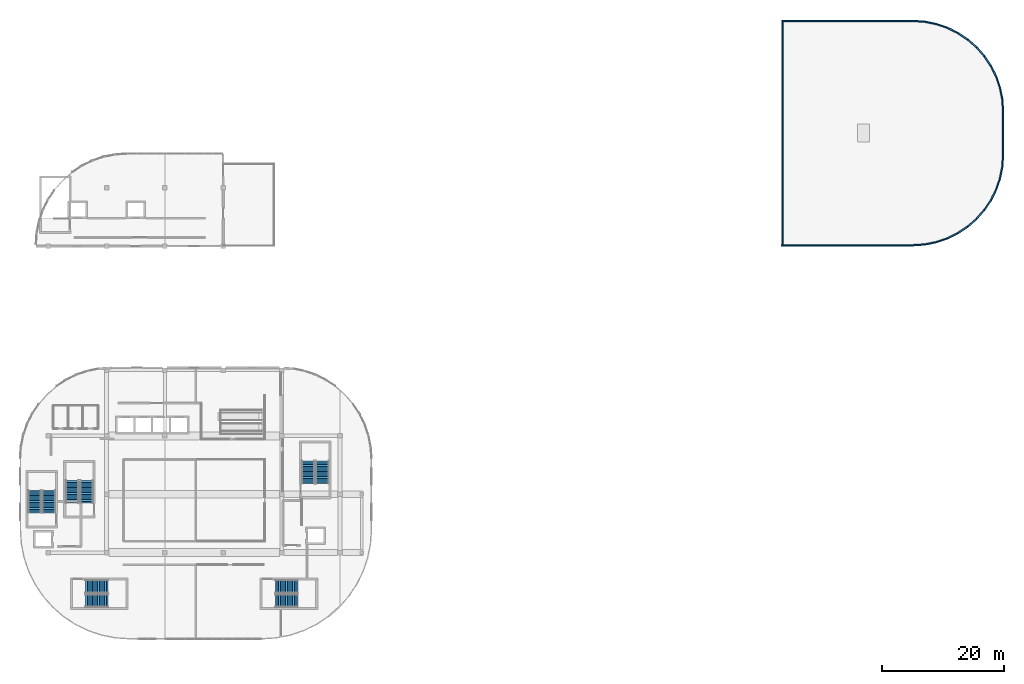
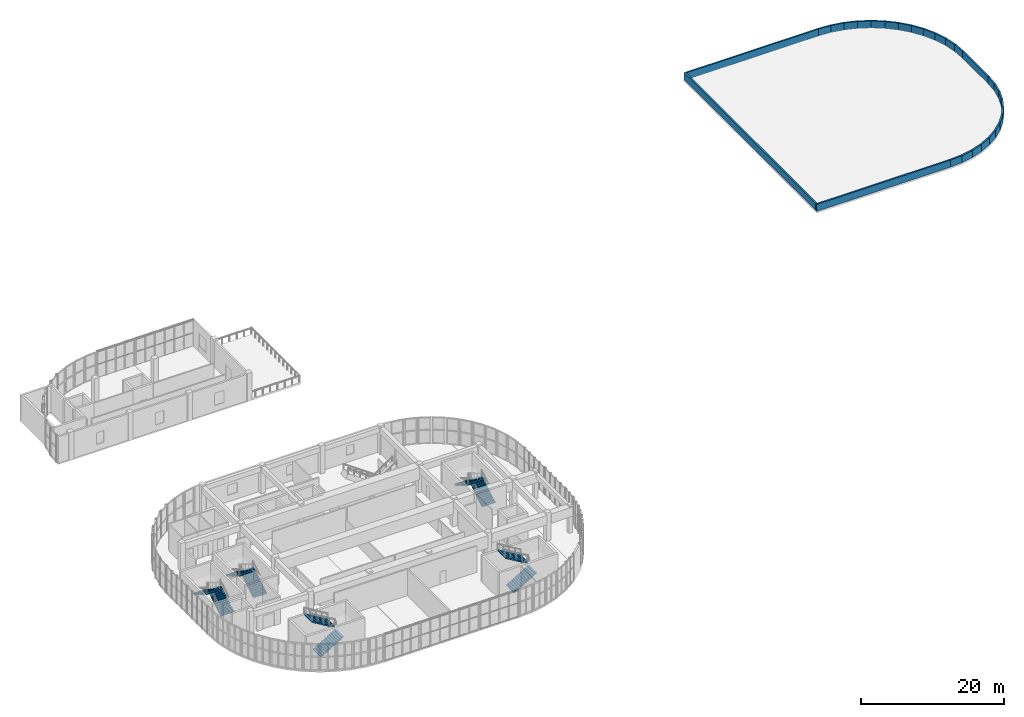
# One storey, part 24 of 28: 28 walls, 10 stair flights, 5 elements without a shape of their own.
"""IFC4 building model written with IfcOpenShell, lengths in metres."""

from ifc_helpers import new_model, si_unit, direction, frame, frame_2d, origin, place, context, subcontext, project, spatial, polyline, rectangle, outline, extrude, material, layer, layer_set, type_object, element, aggregate, save


model = new_model("IFC4")

# Units and contexts
model_context = context("Model", 3, precision=1e-05, world=origin(), true_north=direction((0.0, 1.0)))
body_context = subcontext(model_context, "Body", "Model", "MODEL_VIEW")
ifc_project = project(units=[si_unit("LENGTHUNIT", "METRE"), si_unit("AREAUNIT", "SQUARE_METRE"), si_unit("VOLUMEUNIT", "CUBIC_METRE"), si_unit("PLANEANGLEUNIT", "RADIAN"), si_unit("MASSUNIT", "GRAM", prefix="KILO")], contexts=[model_context])

# Site, building, storey
site_placement = place(None, origin())
site = spatial("IfcSite", under=ifc_project, at=site_placement, CompositionType="ELEMENT")
building_placement = place(site_placement, origin())
building = spatial("IfcBuilding", under=site, at=building_placement, Name="Cendralis Terraced Arcade", CompositionType="ELEMENT")
storey_placement = place(building_placement, frame((0.0, 0.0, 24.60009765625)))
storey = spatial("IfcBuildingStorey", under=building, at=storey_placement, Name="L05", CompositionType="ELEMENT", Elevation=24.60009765625)

# Walls
ifc_material_1 = material(Name="Precast concrete f'c 40 MPa", Category="concrete")
ifc_layer_1 = layer(ifc_material_1, 0.25, Name="WL-PAR-250")
ifc_layer_set_1 = layer_set([ifc_layer_1], Name="Precast concrete f'c 40 MPa")
wall_type = type_object("IfcWallType", Name="WL-PAR-250", PredefinedType="PARAPET", material=ifc_layer_set_1)
for number, where, z_axis, x_axis, name in (
    (1, (155.6357421875, 106.151611328125, 0.0), (0.0, 0.0, 1.0), (0.946939480853, -0.321411915774, 0.0), "Precast Concrete Roof Parapet Wall PAR-L05-410"),
    (2, (157.476318359375, 105.5283203125, 0.0), (0.0, 0.0, 1.0), (0.896828266188, -0.442378865867, 0.0), "Precast Concrete Roof Parapet Wall PAR-L05-411"),
):
    element("IfcWall", number, at=place(storey_placement, frame(where, z_axis=z_axis, x_axis=x_axis)), inside=storey, type_object=wall_type, Name=name, PredefinedType="PARAPET", context=body_context, shape_type="SweptSolid", body=[
        extrude(rectangle(XDim=1.9619140625, YDim=0.25, at=frame_2d((0.98095703125, 0.0))), origin(), (0.0, 0.0, 1.0), 1.199951171875),
    ])
for number, where, z_axis, x_axis, name in (
    (3, (159.219482421875, 104.669921875, 0.0), (0.0, 0.0, 1.0), (0.831398890173, -0.555676061585, 0.0), "Precast Concrete Roof Parapet Wall PAR-L05-412"),
    (4, (160.835693359375, 103.59130859375, 0.0), (0.0, 0.0, 1.0), (0.751874886859, -0.659305812587, 0.0), "Precast Concrete Roof Parapet Wall PAR-L05-413"),
    (5, (162.297607421875, 102.31103515625, 0.0), (0.0, 0.0, 1.0), (0.659305812587, -0.751874886859, 0.0), "Precast Concrete Roof Parapet Wall PAR-L05-414"),
    (6, (163.57958984375, 100.850830078125, 0.0), (0.0, 0.0, 1.0), (0.555676061585, -0.831398890173, 0.0), "Precast Concrete Roof Parapet Wall PAR-L05-415"),
):
    element("IfcWall", number, at=place(storey_placement, frame(where, z_axis=z_axis, x_axis=x_axis)), inside=storey, type_object=wall_type, Name=name, PredefinedType="PARAPET", context=body_context, shape_type="SweptSolid", body=[
        extrude(rectangle(XDim=1.962158203125, YDim=0.25, at=frame_2d((0.98095703125, 0.0))), origin(), (0.0, 0.0, 1.0), 1.199951171875),
    ])
for number, where, z_axis, x_axis, name in (
    (7, (164.660400390625, 99.23583984375, 0.0), (0.0, 0.0, 1.0), (0.442378865867, -0.896828266188, 0.0), "Precast Concrete Roof Parapet Wall PAR-L05-416"),
    (8, (165.52099609375, 97.49365234375, 0.0), (0.0, 0.0, 1.0), (0.321411915774, -0.946939480853, 0.0), "Precast Concrete Roof Parapet Wall PAR-L05-417"),
):
    element("IfcWall", number, at=place(storey_placement, frame(where, z_axis=z_axis, x_axis=x_axis)), inside=storey, type_object=wall_type, Name=name, PredefinedType="PARAPET", context=body_context, shape_type="SweptSolid", body=[
        extrude(rectangle(XDim=1.9619140625, YDim=0.25, at=frame_2d((0.98095703125, 0.0))), origin(), (0.0, 0.0, 1.0), 1.199951171875),
    ])
wall_1_placement = place(storey_placement, frame((166.146728515625, 95.654052734375, 0.0), z_axis=(0.0, 0.0, 1.0), x_axis=(0.195087187285, -0.980785903935, 0.0)))
element("IfcWall", 9, at=wall_1_placement, inside=storey, type_object=wall_type, Name="Precast Concrete Roof Parapet Wall PAR-L05-418", PredefinedType="PARAPET", context=body_context, shape_type="SweptSolid", body=[
    extrude(rectangle(XDim=1.962158203125, YDim=0.25, at=frame_2d((0.98095703125, 0.0))), origin(), (0.0, 0.0, 1.0), 1.199951171875),
])
wall_2_placement = place(storey_placement, frame((166.527099609375, 93.748291015625, 0.0), z_axis=(0.0, 0.0, 1.0), x_axis=(0.065329649797, -0.997863736618, 0.0)))
element("IfcWall", 10, at=wall_2_placement, inside=storey, type_object=wall_type, Name="Precast Concrete Roof Parapet Wall PAR-L05-419", PredefinedType="PARAPET", context=body_context, shape_type="SweptSolid", body=[
    extrude(rectangle(XDim=1.9619140625, YDim=0.25, at=frame_2d((0.98095703125, 0.0))), origin(), (0.0, 0.0, 1.0), 1.199951171875),
])
wall_3_placement = place(storey_placement, frame((166.655029296875, 91.800048828125, 0.0), z_axis=(0.0, 0.0, 1.0), x_axis=(0.0, -1.0, 0.0)))
element("IfcWall", 11, at=wall_3_placement, inside=storey, type_object=wall_type, Name="Precast Concrete Roof Parapet Wall PAR-L05-420", PredefinedType="PARAPET", context=body_context, shape_type="SweptSolid", body=[
    extrude(rectangle(XDim=7.199951171875, YDim=0.25, at=frame_2d((3.60009765625, 0.0))), origin(), (0.0, 0.0, 1.0), 1.199951171875),
])
wall_4_placement = place(storey_placement, frame((166.6552734375, 84.609619140625, 0.0), z_axis=(0.0, 0.0, 1.0), x_axis=(-0.065321538715, -0.997864267614, 0.0)))
element("IfcWall", 12, at=wall_4_placement, inside=storey, type_object=wall_type, Name="Precast Concrete Roof Parapet Wall PAR-L05-421", PredefinedType="PARAPET", context=body_context, shape_type="SweptSolid", body=[
    extrude(rectangle(XDim=1.962158203125, YDim=0.25, at=frame_2d((0.98095703125, 0.0))), origin(), (0.0, 0.0, 1.0), 1.199951171875),
])
wall_5_placement = place(storey_placement, frame((166.529541015625, 82.67041015625, 0.0), z_axis=(0.0, 0.0, 1.0), x_axis=(-0.19511099609, -0.980781167848, 0.0)))
element("IfcWall", 13, at=wall_5_placement, inside=storey, type_object=wall_type, Name="Precast Concrete Roof Parapet Wall PAR-L05-422", PredefinedType="PARAPET", context=body_context, shape_type="SweptSolid", body=[
    extrude(rectangle(XDim=1.9619140625, YDim=0.25, at=frame_2d((0.98095703125, 0.0))), origin(), (0.0, 0.0, 1.0), 1.199951171875),
])
for number, where, z_axis, x_axis, name in (
    (14, (166.151611328125, 80.764404296875, 0.0), (0.0, 0.0, 1.0), (-0.321374047672, -0.946952333269, 0.0), "Precast Concrete Roof Parapet Wall PAR-L05-423"),
    (15, (165.5283203125, 78.923828125, 0.0), (0.0, 0.0, 1.0), (-0.44232950124, -0.89685261461, 0.0), "Precast Concrete Roof Parapet Wall PAR-L05-424"),
    (16, (164.669921875, 77.1806640625, 0.0), (0.0, 0.0, 1.0), (-0.555676061585, -0.831398890173, 0.0), "Precast Concrete Roof Parapet Wall PAR-L05-425"),
):
    element("IfcWall", number, at=place(storey_placement, frame(where, z_axis=z_axis, x_axis=x_axis)), inside=storey, type_object=wall_type, Name=name, PredefinedType="PARAPET", context=body_context, shape_type="SweptSolid", body=[
        extrude(rectangle(XDim=1.962158203125, YDim=0.25, at=frame_2d((0.98095703125, 0.0))), origin(), (0.0, 0.0, 1.0), 1.199951171875),
    ])
wall_6_placement = place(storey_placement, frame((163.59130859375, 75.564208984375, 0.0), z_axis=(0.0, 0.0, 1.0), x_axis=(-0.659367493455, -0.751820795519, 0.0)))
element("IfcWall", 17, at=wall_6_placement, inside=storey, type_object=wall_type, Name="Precast Concrete Roof Parapet Wall PAR-L05-426", PredefinedType="PARAPET", context=body_context, shape_type="SweptSolid", body=[
    extrude(rectangle(XDim=1.9619140625, YDim=0.25, at=frame_2d((0.98095703125, 0.0))), origin(), (0.0, 0.0, 1.0), 1.199951171875),
])
for number, where, z_axis, x_axis, name in (
    (18, (162.31103515625, 74.102294921875, 0.0), (0.0, 0.0, 1.0), (-0.751874886859, -0.659305812587, 0.0), "Precast Concrete Roof Parapet Wall PAR-L05-427"),
    (19, (160.850830078125, 72.8203125, 0.0), (0.0, 0.0, 1.0), (-0.831456371993, -0.555590048032, 0.0), "Precast Concrete Roof Parapet Wall PAR-L05-428"),
):
    element("IfcWall", number, at=place(storey_placement, frame(where, z_axis=z_axis, x_axis=x_axis)), inside=storey, type_object=wall_type, Name=name, PredefinedType="PARAPET", context=body_context, shape_type="SweptSolid", body=[
        extrude(rectangle(XDim=1.962158203125, YDim=0.25, at=frame_2d((0.98095703125, 0.0))), origin(), (0.0, 0.0, 1.0), 1.199951171875),
    ])
wall_7_placement = place(storey_placement, frame((159.23583984375, 71.739501953125, 0.0), z_axis=(0.0, 0.0, 1.0), x_axis=(-0.896877632786, -0.4422787716, 0.0)))
element("IfcWall", 20, at=wall_7_placement, inside=storey, type_object=wall_type, Name="Precast Concrete Roof Parapet Wall PAR-L05-429", PredefinedType="PARAPET", context=body_context, shape_type="SweptSolid", body=[
    extrude(rectangle(XDim=1.9619140625, YDim=0.25, at=frame_2d((0.98095703125, 0.0))), origin(), (0.0, 0.0, 1.0), 1.199951171875),
])
for number, where, z_axis, x_axis, name in (
    (21, (157.49365234375, 70.879150390625, 0.0), (0.0, 0.0, 1.0), (-0.946901603487, -0.321523487965, 0.0), "Precast Concrete Roof Parapet Wall PAR-L05-430"),
    (22, (155.654052734375, 70.25341796875, 0.0), (0.0, 0.0, 1.0), (-0.980785903935, -0.195087187285, 0.0), "Precast Concrete Roof Parapet Wall PAR-L05-431"),
):
    element("IfcWall", number, at=place(storey_placement, frame(where, z_axis=z_axis, x_axis=x_axis)), inside=storey, type_object=wall_type, Name=name, PredefinedType="PARAPET", context=body_context, shape_type="SweptSolid", body=[
        extrude(rectangle(XDim=1.962158203125, YDim=0.25, at=frame_2d((0.98095703125, 0.0))), origin(), (0.0, 0.0, 1.0), 1.199951171875),
    ])
wall_8_placement = place(storey_placement, frame((153.748291015625, 69.873046875, 0.0), z_axis=(0.0, 0.0, 1.0), x_axis=(-0.997855616904, -0.065453554619, 0.0)))
element("IfcWall", 23, at=wall_8_placement, inside=storey, type_object=wall_type, Name="Precast Concrete Roof Parapet Wall PAR-L05-432", PredefinedType="PARAPET", context=body_context, shape_type="SweptSolid", body=[
    extrude(rectangle(XDim=1.9619140625, YDim=0.25, at=frame_2d((0.98095703125, 0.0))), origin(), (0.0, 0.0, 1.0), 1.199951171875),
])
wall_9_placement = place(storey_placement, frame((151.800048828125, 69.7451171875, 0.0), z_axis=(0.0, 0.0, 1.0), x_axis=(-1.0, 0.0, 0.0)))
element("IfcWall", 24, at=wall_9_placement, inside=storey, type_object=wall_type, Name="Precast Concrete Roof Parapet Wall PAR-L05-433", PredefinedType="PARAPET", context=body_context, shape_type="SweptSolid", body=[
    extrude(rectangle(XDim=21.60009765625, YDim=0.25, at=frame_2d((10.800048828125, 0.0))), origin(), (0.0, 0.0, 1.0), 1.199951171875),
])
wall_10_placement = place(storey_placement, frame((130.344970703125, 69.889892578125, 0.0), z_axis=(0.0, 0.0, 1.0), x_axis=(0.0, 1.0, 0.0)))
element("IfcWall", 25, at=wall_10_placement, inside=storey, type_object=wall_type, Name="Precast Concrete Roof Parapet Wall PAR-L05-434", PredefinedType="PARAPET", context=body_context, shape_type="SweptSolid", body=[
    extrude(rectangle(XDim=36.91015625, YDim=0.25, at=frame_2d((18.455078125, 0.0))), origin(), (0.0, 0.0, 1.0), 1.199951171875),
])
wall_11_placement = place(storey_placement, frame((130.489990234375, 106.655029296875, 0.0), z_axis=(0.0, 0.0, 1.0), x_axis=(1.0, 0.0, 0.0)))
element("IfcWall", 26, at=wall_11_placement, inside=storey, type_object=wall_type, Name="Precast Concrete Roof Parapet Wall PAR-L05-435", PredefinedType="PARAPET", context=body_context, shape_type="SweptSolid", body=[
    extrude(rectangle(XDim=21.31005859375, YDim=0.25, at=frame_2d((10.655029296875, 0.0))), origin(), (0.0, 0.0, 1.0), 1.199951171875),
])
wall_12_placement = place(storey_placement, frame((151.79052734375, 106.6552734375, 0.0), z_axis=(0.0, 0.0, 1.0), x_axis=(0.997863736618, -0.065329649797, 0.0)))
element("IfcWall", 27, at=wall_12_placement, inside=storey, type_object=wall_type, Name="Precast Concrete Roof Parapet Wall PAR-L05-436", PredefinedType="PARAPET", context=body_context, shape_type="SweptSolid", body=[
    extrude(rectangle(XDim=1.9619140625, YDim=0.25, at=frame_2d((0.98095703125, 0.0))), origin(), (0.0, 0.0, 1.0), 1.199951171875),
])
wall_13_placement = place(storey_placement, frame((153.7294921875, 106.529541015625, 0.0), z_axis=(0.0, 0.0, 1.0), x_axis=(0.980785903935, -0.195087187285, 0.0)))
element("IfcWall", 28, at=wall_13_placement, inside=storey, type_object=wall_type, Name="Precast Concrete Roof Parapet Wall PAR-L05-437", PredefinedType="PARAPET", context=body_context, shape_type="SweptSolid", body=[
    extrude(rectangle(XDim=1.962158203125, YDim=0.25, at=frame_2d((0.98095703125, 0.0))), origin(), (0.0, 0.0, 1.0), 1.199951171875),
])

# Stair, stair flights
ifc_material_2 = material(Name="Concrete f'c 35 MPa", Category="concrete")
stair_type = type_object("IfcStairType", Name="STR-W215-H480", PredefinedType="HALF_TURN_STAIR", material=ifc_material_2)
stair_1_placement = place(storey_placement, origin())
stair_1 = element("IfcStair", 29, at=stair_1_placement, inside=storey, type_object=stair_type, Name="L05 Protected Exit Stair ST-01", PredefinedType="HALF_TURN_STAIR")
ifc_layer_2 = layer(ifc_material_2, 0.159912109375, Name="FLT-W215-H480")
ifc_layer_set_2 = layer_set([ifc_layer_2], Name="Concrete f'c 35 MPa")
stair_flight_type = type_object("IfcStairFlightType", Name="FLT-W215-H480", PredefinedType="STRAIGHT", material=ifc_layer_set_2)
stair_flight_1_placement = place(storey_placement, frame((9.72509765625, 25.75, 0.0), z_axis=(0.0, 0.0, 1.0), x_axis=(0.0, 1.0, 0.0)))
stair_flight_1 = element("IfcStairFlight", 30, at=stair_flight_1_placement, type_object=stair_flight_type, Name="ST-01 flight 1", NumberOfRisers=14, NumberOfTreads=13, PredefinedType="STRAIGHT", RiserHeight=0.171428571, TreadLength=0.285, context=body_context, shape_type="SweptSolid", body=[
    extrude(outline(polyline([(0.0, 0.0), (0.0, 0.17138671875), (0.284912109375, 0.17138671875), (0.284912109375, 0.3427734375), (0.570068359375, 0.3427734375), (0.570068359375, 0.514404296875), (0.85498046875, 0.514404296875), (0.85498046875, 0.685791015625), (1.139892578125, 0.685791015625), (1.139892578125, 0.857177734375), (1.425048828125, 0.857177734375), (1.425048828125, 1.028564453125), (1.7099609375, 1.028564453125), (1.7099609375, 1.199951171875), (1.9951171875, 1.199951171875), (1.9951171875, 1.371337890625), (2.280029296875, 1.371337890625), (2.280029296875, 1.54296875), (2.56494140625, 1.54296875), (2.56494140625, 1.71435546875), (2.85009765625, 1.71435546875), (2.85009765625, 1.8857421875), (3.135009765625, 1.8857421875), (3.135009765625, 2.05712890625), (3.419921875, 2.05712890625), (3.419921875, 2.228515625), (3.705078125, 2.228515625), (3.705078125, 2.39990234375), (3.705078125, 2.0537109375), (0.290771484375, 0.0), (0.0, 0.0)])), frame((0.0, 1.074951171875, 0.0), z_axis=(0.0, -1.0, 0.0), x_axis=(1.0, 0.0, 0.0)), (0.0, 0.0, 1.0), 2.14990234375),
])
stair_flight_2_placement = place(storey_placement, frame((7.375, 29.455078125, 2.39990234375), z_axis=(0.0, 0.0, 1.0), x_axis=(0.0, -1.0, 0.0)))
stair_flight_2 = element("IfcStairFlight", 31, at=stair_flight_2_placement, type_object=stair_flight_type, Name="ST-01 flight 2", NumberOfRisers=14, NumberOfTreads=13, PredefinedType="STRAIGHT", RiserHeight=0.171428571, TreadLength=0.285, context=body_context, shape_type="SweptSolid", body=[
    extrude(outline(polyline([(0.0, 0.0), (0.0, 0.17138671875), (0.284912109375, 0.17138671875), (0.284912109375, 0.3427734375), (0.570068359375, 0.3427734375), (0.570068359375, 0.514404296875), (0.85498046875, 0.514404296875), (0.85498046875, 0.685791015625), (1.139892578125, 0.685791015625), (1.139892578125, 0.857177734375), (1.425048828125, 0.857177734375), (1.425048828125, 1.028564453125), (1.7099609375, 1.028564453125), (1.7099609375, 1.199951171875), (1.9951171875, 1.199951171875), (1.9951171875, 1.371337890625), (2.280029296875, 1.371337890625), (2.280029296875, 1.54296875), (2.56494140625, 1.54296875), (2.56494140625, 1.71435546875), (2.85009765625, 1.71435546875), (2.85009765625, 1.8857421875), (3.135009765625, 1.8857421875), (3.135009765625, 2.05712890625), (3.419921875, 2.05712890625), (3.419921875, 2.228515625), (3.705078125, 2.228515625), (3.705078125, 2.39990234375), (3.705078125, 2.0537109375), (0.290771484375, 0.0), (0.0, 0.0)])), frame((0.0, 1.074951171875, 0.0), z_axis=(0.0, -1.0, 0.0), x_axis=(1.0, 0.0, 0.0)), (0.0, 0.0, 1.0), 2.14990234375),
])
aggregate(stair_1, [stair_flight_1, stair_flight_2])

stair_2_placement = place(storey_placement, origin())
stair_2 = element("IfcStair", 32, at=stair_2_placement, inside=storey, type_object=stair_type, Name="L05 Protected Exit Stair ST-02", PredefinedType="HALF_TURN_STAIR")
stair_flight_3_placement = place(storey_placement, frame((15.75, 11.27490234375, 0.0), z_axis=(0.0, 0.0, 1.0), x_axis=(1.0, 0.0, 0.0)))
stair_flight_3 = element("IfcStairFlight", 33, at=stair_flight_3_placement, type_object=stair_flight_type, Name="ST-02 flight 1", NumberOfRisers=14, NumberOfTreads=13, PredefinedType="STRAIGHT", RiserHeight=0.171428571, TreadLength=0.285, context=body_context, shape_type="SweptSolid", body=[
    extrude(outline(polyline([(0.0, 0.0), (0.0, 0.17138671875), (0.284912109375, 0.17138671875), (0.284912109375, 0.3427734375), (0.570068359375, 0.3427734375), (0.570068359375, 0.514404296875), (0.85498046875, 0.514404296875), (0.85498046875, 0.685791015625), (1.139892578125, 0.685791015625), (1.139892578125, 0.857177734375), (1.425048828125, 0.857177734375), (1.425048828125, 1.028564453125), (1.7099609375, 1.028564453125), (1.7099609375, 1.199951171875), (1.9951171875, 1.199951171875), (1.9951171875, 1.371337890625), (2.280029296875, 1.371337890625), (2.280029296875, 1.54296875), (2.56494140625, 1.54296875), (2.56494140625, 1.71435546875), (2.85009765625, 1.71435546875), (2.85009765625, 1.8857421875), (3.135009765625, 1.8857421875), (3.135009765625, 2.05712890625), (3.419921875, 2.05712890625), (3.419921875, 2.228515625), (3.705078125, 2.228515625), (3.705078125, 2.39990234375), (3.705078125, 2.0537109375), (0.290771484375, 0.0), (0.0, 0.0)])), frame((0.0, 1.074951171875, 0.0), z_axis=(0.0, -1.0, 0.0), x_axis=(1.0, 0.0, 0.0)), (0.0, 0.0, 1.0), 2.14990234375),
])
stair_flight_4_placement = place(storey_placement, frame((19.455078125, 13.625, 2.39990234375), z_axis=(0.0, 0.0, 1.0), x_axis=(-1.0, 0.0, 0.0)))
stair_flight_4 = element("IfcStairFlight", 34, at=stair_flight_4_placement, type_object=stair_flight_type, Name="ST-02 flight 2", NumberOfRisers=14, NumberOfTreads=13, PredefinedType="STRAIGHT", RiserHeight=0.171428571, TreadLength=0.285, context=body_context, shape_type="SweptSolid", body=[
    extrude(outline(polyline([(0.0, 0.0), (0.0, 0.17138671875), (0.284912109375, 0.17138671875), (0.284912109375, 0.3427734375), (0.570068359375, 0.3427734375), (0.570068359375, 0.514404296875), (0.85498046875, 0.514404296875), (0.85498046875, 0.685791015625), (1.139892578125, 0.685791015625), (1.139892578125, 0.857177734375), (1.425048828125, 0.857177734375), (1.425048828125, 1.028564453125), (1.7099609375, 1.028564453125), (1.7099609375, 1.199951171875), (1.9951171875, 1.199951171875), (1.9951171875, 1.371337890625), (2.280029296875, 1.371337890625), (2.280029296875, 1.54296875), (2.56494140625, 1.54296875), (2.56494140625, 1.71435546875), (2.85009765625, 1.71435546875), (2.85009765625, 1.8857421875), (3.135009765625, 1.8857421875), (3.135009765625, 2.05712890625), (3.419921875, 2.05712890625), (3.419921875, 2.228515625), (3.705078125, 2.228515625), (3.705078125, 2.39990234375), (3.705078125, 2.0537109375), (0.290771484375, 0.0), (0.0, 0.0)])), frame((0.0, 1.074951171875, 0.0), z_axis=(0.0, -1.0, 0.0), x_axis=(1.0, 0.0, 0.0)), (0.0, 0.0, 1.0), 2.14990234375),
])
aggregate(stair_2, [stair_flight_3, stair_flight_4])

stair_3_placement = place(storey_placement, origin())
stair_3 = element("IfcStair", 35, at=stair_3_placement, inside=storey, type_object=stair_type, Name="L05 Protected Exit Stair ST-03", PredefinedType="HALF_TURN_STAIR")
stair_flight_5_placement = place(storey_placement, frame((46.949951171875, 11.27490234375, 0.0), z_axis=(0.0, 0.0, 1.0), x_axis=(1.0, 0.0, 0.0)))
stair_flight_5 = element("IfcStairFlight", 36, at=stair_flight_5_placement, type_object=stair_flight_type, Name="ST-03 flight 1", NumberOfRisers=14, NumberOfTreads=13, PredefinedType="STRAIGHT", RiserHeight=0.171428571, TreadLength=0.285, context=body_context, shape_type="SweptSolid", body=[
    extrude(outline(polyline([(0.0, 0.0), (0.0, 0.17138671875), (0.284912109375, 0.17138671875), (0.284912109375, 0.3427734375), (0.570068359375, 0.3427734375), (0.570068359375, 0.514404296875), (0.85498046875, 0.514404296875), (0.85498046875, 0.685791015625), (1.139892578125, 0.685791015625), (1.139892578125, 0.857177734375), (1.425048828125, 0.857177734375), (1.425048828125, 1.028564453125), (1.7099609375, 1.028564453125), (1.7099609375, 1.199951171875), (1.9951171875, 1.199951171875), (1.9951171875, 1.371337890625), (2.280029296875, 1.371337890625), (2.280029296875, 1.54296875), (2.56494140625, 1.54296875), (2.56494140625, 1.71435546875), (2.85009765625, 1.71435546875), (2.85009765625, 1.8857421875), (3.135009765625, 1.8857421875), (3.135009765625, 2.05712890625), (3.419921875, 2.05712890625), (3.419921875, 2.228515625), (3.705078125, 2.228515625), (3.705078125, 2.39990234375), (3.705078125, 2.0537109375), (0.290771484375, 0.0), (0.0, 0.0)])), frame((0.0, 1.074951171875, 0.0), z_axis=(0.0, -1.0, 0.0), x_axis=(1.0, 0.0, 0.0)), (0.0, 0.0, 1.0), 2.14990234375),
])
stair_flight_6_placement = place(storey_placement, frame((50.655029296875, 13.625, 2.39990234375), z_axis=(0.0, 0.0, 1.0), x_axis=(-1.0, 0.0, 0.0)))
stair_flight_6 = element("IfcStairFlight", 37, at=stair_flight_6_placement, type_object=stair_flight_type, Name="ST-03 flight 2", NumberOfRisers=14, NumberOfTreads=13, PredefinedType="STRAIGHT", RiserHeight=0.171428571, TreadLength=0.285, context=body_context, shape_type="SweptSolid", body=[
    extrude(outline(polyline([(0.0, 0.0), (0.0, 0.17138671875), (0.284912109375, 0.17138671875), (0.284912109375, 0.3427734375), (0.570068359375, 0.3427734375), (0.570068359375, 0.514404296875), (0.85498046875, 0.514404296875), (0.85498046875, 0.685791015625), (1.139892578125, 0.685791015625), (1.139892578125, 0.857177734375), (1.425048828125, 0.857177734375), (1.425048828125, 1.028564453125), (1.7099609375, 1.028564453125), (1.7099609375, 1.199951171875), (1.9951171875, 1.199951171875), (1.9951171875, 1.371337890625), (2.280029296875, 1.371337890625), (2.280029296875, 1.54296875), (2.56494140625, 1.54296875), (2.56494140625, 1.71435546875), (2.85009765625, 1.71435546875), (2.85009765625, 1.8857421875), (3.135009765625, 1.8857421875), (3.135009765625, 2.05712890625), (3.419921875, 2.05712890625), (3.419921875, 2.228515625), (3.705078125, 2.228515625), (3.705078125, 2.39990234375), (3.705078125, 2.0537109375), (0.290771484375, 0.0), (0.0, 0.0)])), frame((0.0, 1.074951171875, 0.0), z_axis=(0.0, -1.0, 0.0), x_axis=(1.0, 0.0, 0.0)), (0.0, 0.0, 1.0), 2.14990234375),
])
aggregate(stair_3, [stair_flight_5, stair_flight_6])

stair_4_placement = place(storey_placement, origin())
stair_4 = element("IfcStair", 38, at=stair_4_placement, inside=storey, type_object=stair_type, Name="L05 Protected Exit Stair ST-04", PredefinedType="HALF_TURN_STAIR")
stair_flight_7_placement = place(storey_placement, frame((54.72509765625, 30.550048828125, 0.0), z_axis=(0.0, 0.0, 1.0), x_axis=(0.0, 1.0, 0.0)))
stair_flight_7 = element("IfcStairFlight", 39, at=stair_flight_7_placement, type_object=stair_flight_type, Name="ST-04 flight 1", NumberOfRisers=14, NumberOfTreads=13, PredefinedType="STRAIGHT", RiserHeight=0.171428571, TreadLength=0.285, context=body_context, shape_type="SweptSolid", body=[
    extrude(outline(polyline([(0.0, 0.0), (0.0, 0.17138671875), (0.284912109375, 0.17138671875), (0.284912109375, 0.3427734375), (0.570068359375, 0.3427734375), (0.570068359375, 0.514404296875), (0.85498046875, 0.514404296875), (0.85498046875, 0.685791015625), (1.139892578125, 0.685791015625), (1.139892578125, 0.857177734375), (1.425048828125, 0.857177734375), (1.425048828125, 1.028564453125), (1.7099609375, 1.028564453125), (1.7099609375, 1.199951171875), (1.9951171875, 1.199951171875), (1.9951171875, 1.371337890625), (2.280029296875, 1.371337890625), (2.280029296875, 1.54296875), (2.56494140625, 1.54296875), (2.56494140625, 1.71435546875), (2.85009765625, 1.71435546875), (2.85009765625, 1.8857421875), (3.135009765625, 1.8857421875), (3.135009765625, 2.05712890625), (3.419921875, 2.05712890625), (3.419921875, 2.228515625), (3.705078125, 2.228515625), (3.705078125, 2.39990234375), (3.705078125, 2.0537109375), (0.290771484375, 0.0), (0.0, 0.0)])), frame((0.0, 1.074951171875, 0.0), z_axis=(0.0, -1.0, 0.0), x_axis=(1.0, 0.0, 0.0)), (0.0, 0.0, 1.0), 2.14990234375),
])
stair_flight_8_placement = place(storey_placement, frame((52.375, 34.2548828125, 2.39990234375), z_axis=(0.0, 0.0, 1.0), x_axis=(0.0, -1.0, 0.0)))
stair_flight_8 = element("IfcStairFlight", 40, at=stair_flight_8_placement, type_object=stair_flight_type, Name="ST-04 flight 2", NumberOfRisers=14, NumberOfTreads=13, PredefinedType="STRAIGHT", RiserHeight=0.171428571, TreadLength=0.285, context=body_context, shape_type="SweptSolid", body=[
    extrude(outline(polyline([(0.0, 0.0), (0.0, 0.17138671875), (0.284912109375, 0.17138671875), (0.284912109375, 0.3427734375), (0.570068359375, 0.3427734375), (0.570068359375, 0.514404296875), (0.85498046875, 0.514404296875), (0.85498046875, 0.685791015625), (1.139892578125, 0.685791015625), (1.139892578125, 0.857177734375), (1.425048828125, 0.857177734375), (1.425048828125, 1.028564453125), (1.7099609375, 1.028564453125), (1.7099609375, 1.199951171875), (1.9951171875, 1.199951171875), (1.9951171875, 1.371337890625), (2.280029296875, 1.371337890625), (2.280029296875, 1.54296875), (2.56494140625, 1.54296875), (2.56494140625, 1.71435546875), (2.85009765625, 1.71435546875), (2.85009765625, 1.8857421875), (3.135009765625, 1.8857421875), (3.135009765625, 2.05712890625), (3.419921875, 2.05712890625), (3.419921875, 2.228515625), (3.705078125, 2.228515625), (3.705078125, 2.39990234375), (3.705078125, 2.0537109375), (0.290771484375, 0.0), (0.0, 0.0)])), frame((0.0, 1.074951171875, 0.0), z_axis=(0.0, -1.0, 0.0), x_axis=(1.0, 0.0, 0.0)), (0.0, 0.0, 1.0), 2.14990234375),
])
aggregate(stair_4, [stair_flight_7, stair_flight_8])

stair_5_placement = place(storey_placement, origin())
stair_5 = element("IfcStair", 41, at=stair_5_placement, inside=storey, type_object=stair_type, Name="L05 Protected Exit Stair ST-05", PredefinedType="HALF_TURN_STAIR")
stair_flight_9_placement = place(storey_placement, frame((15.925048828125, 27.35009765625, 0.0), z_axis=(0.0, 0.0, 1.0), x_axis=(0.0, 1.0, 0.0)))
stair_flight_9 = element("IfcStairFlight", 42, at=stair_flight_9_placement, type_object=stair_flight_type, Name="ST-05 flight 1", NumberOfRisers=14, NumberOfTreads=13, PredefinedType="STRAIGHT", RiserHeight=0.171428571, TreadLength=0.285, context=body_context, shape_type="SweptSolid", body=[
    extrude(outline(polyline([(0.0, 0.0), (0.0, 0.17138671875), (0.284912109375, 0.17138671875), (0.284912109375, 0.3427734375), (0.570068359375, 0.3427734375), (0.570068359375, 0.514404296875), (0.85498046875, 0.514404296875), (0.85498046875, 0.685791015625), (1.139892578125, 0.685791015625), (1.139892578125, 0.857177734375), (1.425048828125, 0.857177734375), (1.425048828125, 1.028564453125), (1.7099609375, 1.028564453125), (1.7099609375, 1.199951171875), (1.9951171875, 1.199951171875), (1.9951171875, 1.371337890625), (2.280029296875, 1.371337890625), (2.280029296875, 1.54296875), (2.56494140625, 1.54296875), (2.56494140625, 1.71435546875), (2.85009765625, 1.71435546875), (2.85009765625, 1.8857421875), (3.135009765625, 1.8857421875), (3.135009765625, 2.05712890625), (3.419921875, 2.05712890625), (3.419921875, 2.228515625), (3.705078125, 2.228515625), (3.705078125, 2.39990234375), (3.705078125, 2.0537109375), (0.290771484375, 0.0), (0.0, 0.0)])), frame((0.0, 1.074951171875, 0.0), z_axis=(0.0, -1.0, 0.0), x_axis=(1.0, 0.0, 0.0)), (0.0, 0.0, 1.0), 2.14990234375),
])
stair_flight_10_placement = place(storey_placement, frame((13.574951171875, 31.054931640625, 2.39990234375), z_axis=(0.0, 0.0, 1.0), x_axis=(0.0, -1.0, 0.0)))
stair_flight_10 = element("IfcStairFlight", 43, at=stair_flight_10_placement, type_object=stair_flight_type, Name="ST-05 flight 2", NumberOfRisers=14, NumberOfTreads=13, PredefinedType="STRAIGHT", RiserHeight=0.171428571, TreadLength=0.285, context=body_context, shape_type="SweptSolid", body=[
    extrude(outline(polyline([(0.0, 0.0), (0.0, 0.17138671875), (0.284912109375, 0.17138671875), (0.284912109375, 0.3427734375), (0.570068359375, 0.3427734375), (0.570068359375, 0.514404296875), (0.85498046875, 0.514404296875), (0.85498046875, 0.685791015625), (1.139892578125, 0.685791015625), (1.139892578125, 0.857177734375), (1.425048828125, 0.857177734375), (1.425048828125, 1.028564453125), (1.7099609375, 1.028564453125), (1.7099609375, 1.199951171875), (1.9951171875, 1.199951171875), (1.9951171875, 1.371337890625), (2.280029296875, 1.371337890625), (2.280029296875, 1.54296875), (2.56494140625, 1.54296875), (2.56494140625, 1.71435546875), (2.85009765625, 1.71435546875), (2.85009765625, 1.8857421875), (3.135009765625, 1.8857421875), (3.135009765625, 2.05712890625), (3.419921875, 2.05712890625), (3.419921875, 2.228515625), (3.705078125, 2.228515625), (3.705078125, 2.39990234375), (3.705078125, 2.0537109375), (0.290771484375, 0.0), (0.0, 0.0)])), frame((0.0, 1.074951171875, 0.0), z_axis=(0.0, -1.0, 0.0), x_axis=(1.0, 0.0, 0.0)), (0.0, 0.0, 1.0), 2.14990234375),
])
aggregate(stair_5, [stair_flight_9, stair_flight_10])

save(model, "model.ifc")
